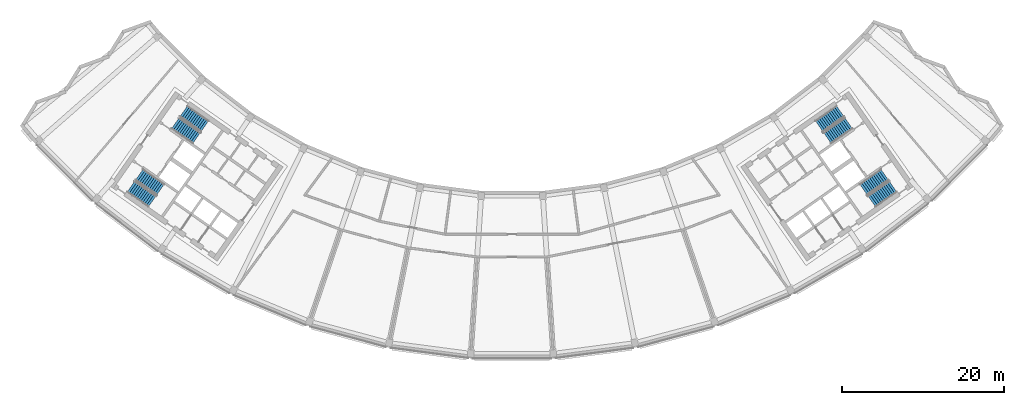
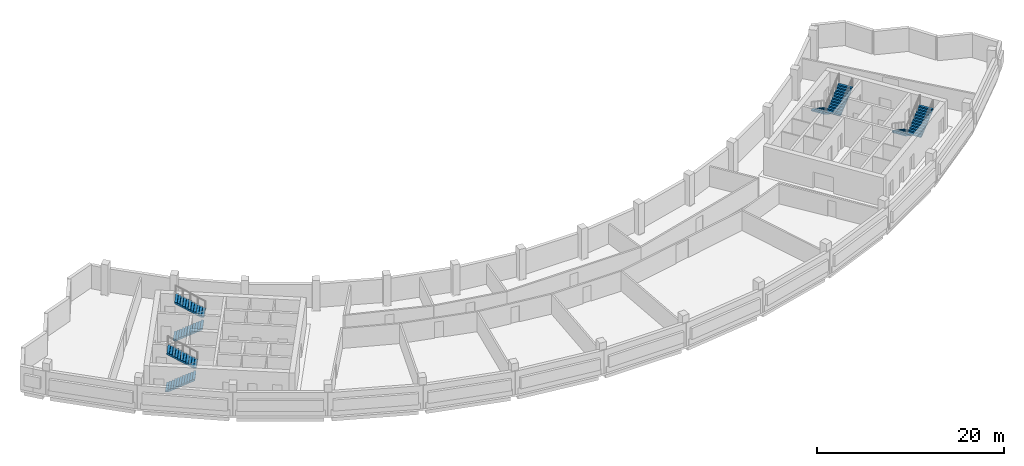
# One storey, part 8 of 12: 8 stair flights, 4 elements without a shape of their own.
"""IFC4 building model written with IfcOpenShell, lengths in metres."""

from ifc_helpers import new_model, si_unit, direction, frame, origin, place, context, subcontext, project, spatial, polyline, outline, extrude, material, type_object, element, aggregate, save


model = new_model("IFC4")

# Units and contexts
model_context = context("Model", 3, precision=1e-05, world=origin(), true_north=direction((0.0, 1.0)))
body_context = subcontext(model_context, "Body", "Model", "MODEL_VIEW")
ifc_project = project(units=[si_unit("LENGTHUNIT", "METRE"), si_unit("AREAUNIT", "SQUARE_METRE"), si_unit("VOLUMEUNIT", "CUBIC_METRE"), si_unit("PLANEANGLEUNIT", "RADIAN"), si_unit("MASSUNIT", "GRAM", prefix="KILO")], contexts=[model_context])

# Site, building, storey
site_placement = place(None, origin())
site = spatial("IfcSite", under=ifc_project, at=site_placement, CompositionType="ELEMENT")
building_placement = place(site_placement, origin())
building = spatial("IfcBuilding", under=site, at=building_placement, Name="Qamariyya Broadcast Tower", CompositionType="ELEMENT")
storey_placement = place(building_placement, frame((0.0, 0.0, 290.699951171875)))
storey = spatial("IfcBuildingStorey", under=building, at=storey_placement, Name="L70", CompositionType="ELEMENT", Elevation=290.699951171875)

# Stair, stair flights
ifc_material = material(Name="Concrete C50/60", Category="concrete")
stair_type = type_object("IfcStairType", Name="Exit stair 24 risers of 167 mm", PredefinedType="HALF_TURN_STAIR", material=ifc_material)
stair_1_placement = place(storey_placement, origin())
stair_1 = element("IfcStair", 1, at=stair_1_placement, inside=storey, type_object=stair_type, Name="L70 Stair W2", PredefinedType="HALF_TURN_STAIR")
stair_flight_type = type_object("IfcStairFlightType", Name="Exit stair flight 12 risers of 167 mm", PredefinedType="STRAIGHT", material=ifc_material)
stair_flight_1_placement = place(storey_placement, frame((-41.59130859375, -49.15966796875, 0.0), z_axis=(0.0, 0.0, 1.0), x_axis=(0.819152044289, -0.573576436351, 0.0)))
stair_flight_1 = element("IfcStairFlight", 2, at=stair_flight_1_placement, type_object=stair_flight_type, Name="ST-W2 flight 1", NumberOfRisers=12, NumberOfTreads=11, PredefinedType="STRAIGHT", RiserHeight=0.166666667, TreadLength=0.29, context=body_context, shape_type="SweptSolid", body=[
    extrude(outline(polyline([(0.0, 0.0), (0.0, 0.166748046875), (0.2900390625, 0.166748046875), (0.2900390625, 0.333251953125), (0.580078125, 0.333251953125), (0.580078125, 0.5), (0.8701171875, 0.5), (0.8701171875, 0.666748046875), (1.159912109375, 0.666748046875), (1.159912109375, 0.833251953125), (1.449951171875, 0.833251953125), (1.449951171875, 1.0), (1.739990234375, 1.0), (1.739990234375, 1.166748046875), (2.030029296875, 1.166748046875), (2.030029296875, 1.333251953125), (2.320068359375, 1.333251953125), (2.320068359375, 1.5), (2.610107421875, 1.5), (2.610107421875, 1.666748046875), (2.89990234375, 1.666748046875), (2.89990234375, 1.833251953125), (3.18994140625, 1.833251953125), (3.18994140625, 2.0), (3.18994140625, 1.660400390625), (0.30078125, 0.0), (0.0, 0.0)])), frame((0.0, 0.824951171875, 0.0), z_axis=(0.0, -1.0, 0.0), x_axis=(1.0, 0.0, 0.0)), (0.0, 0.0, 1.0), 1.64990234375),
])
stair_flight_2_placement = place(storey_placement, frame((-37.945556640625, -49.514892578125, 2.0), z_axis=(0.0, 0.0, 1.0), x_axis=(-0.819152044289, 0.573576436351, 0.0)))
stair_flight_2 = element("IfcStairFlight", 3, at=stair_flight_2_placement, type_object=stair_flight_type, Name="ST-W2 flight 2", NumberOfRisers=12, NumberOfTreads=11, PredefinedType="STRAIGHT", RiserHeight=0.166666667, TreadLength=0.29, context=body_context, shape_type="SweptSolid", body=[
    extrude(outline(polyline([(0.0, 0.0), (0.0, 0.166748046875), (0.2900390625, 0.166748046875), (0.2900390625, 0.333251953125), (0.580078125, 0.333251953125), (0.580078125, 0.5), (0.8701171875, 0.5), (0.8701171875, 0.666748046875), (1.159912109375, 0.666748046875), (1.159912109375, 0.833251953125), (1.449951171875, 0.833251953125), (1.449951171875, 1.0), (1.739990234375, 1.0), (1.739990234375, 1.166748046875), (2.030029296875, 1.166748046875), (2.030029296875, 1.333251953125), (2.320068359375, 1.333251953125), (2.320068359375, 1.5), (2.610107421875, 1.5), (2.610107421875, 1.666748046875), (2.89990234375, 1.666748046875), (2.89990234375, 1.833251953125), (3.18994140625, 1.833251953125), (3.18994140625, 2.0), (3.18994140625, 1.660400390625), (0.30078125, 0.0), (0.0, 0.0)])), frame((0.0, 0.824951171875, 0.0), z_axis=(0.0, -1.0, 0.0), x_axis=(1.0, 0.0, 0.0)), (0.0, 0.0, 1.0), 1.64990234375),
])
aggregate(stair_1, [stair_flight_1, stair_flight_2])

stair_2_placement = place(storey_placement, origin())
stair_2 = element("IfcStair", 4, at=stair_2_placement, inside=storey, type_object=stair_type, Name="L70 Stair W1", PredefinedType="HALF_TURN_STAIR")
stair_flight_3_placement = place(storey_placement, frame((-47.06884765625, -56.982666015625, 0.0), z_axis=(0.0, 0.0, 1.0), x_axis=(0.819152044289, -0.573576436351, 0.0)))
stair_flight_3 = element("IfcStairFlight", 5, at=stair_flight_3_placement, type_object=stair_flight_type, Name="ST-W1 flight 1", NumberOfRisers=12, NumberOfTreads=11, PredefinedType="STRAIGHT", RiserHeight=0.166666667, TreadLength=0.29, context=body_context, shape_type="SweptSolid", body=[
    extrude(outline(polyline([(0.0, 0.0), (0.0, 0.166748046875), (0.2900390625, 0.166748046875), (0.2900390625, 0.333251953125), (0.580078125, 0.333251953125), (0.580078125, 0.5), (0.8701171875, 0.5), (0.8701171875, 0.666748046875), (1.159912109375, 0.666748046875), (1.159912109375, 0.833251953125), (1.449951171875, 0.833251953125), (1.449951171875, 1.0), (1.739990234375, 1.0), (1.739990234375, 1.166748046875), (2.030029296875, 1.166748046875), (2.030029296875, 1.333251953125), (2.320068359375, 1.333251953125), (2.320068359375, 1.5), (2.610107421875, 1.5), (2.610107421875, 1.666748046875), (2.89990234375, 1.666748046875), (2.89990234375, 1.833251953125), (3.18994140625, 1.833251953125), (3.18994140625, 2.0), (3.18994140625, 1.660400390625), (0.30078125, 0.0), (0.0, 0.0)])), frame((0.0, 0.824951171875, 0.0), z_axis=(0.0, -1.0, 0.0), x_axis=(1.0, 0.0, 0.0)), (0.0, 0.0, 1.0), 1.64990234375),
])
stair_flight_4_placement = place(storey_placement, frame((-43.42333984375, -57.337890625, 2.0), z_axis=(0.0, 0.0, 1.0), x_axis=(-0.819152044289, 0.573576436351, 0.0)))
stair_flight_4 = element("IfcStairFlight", 6, at=stair_flight_4_placement, type_object=stair_flight_type, Name="ST-W1 flight 2", NumberOfRisers=12, NumberOfTreads=11, PredefinedType="STRAIGHT", RiserHeight=0.166666667, TreadLength=0.29, context=body_context, shape_type="SweptSolid", body=[
    extrude(outline(polyline([(0.0, 0.0), (0.0, 0.166748046875), (0.2900390625, 0.166748046875), (0.2900390625, 0.333251953125), (0.580078125, 0.333251953125), (0.580078125, 0.5), (0.8701171875, 0.5), (0.8701171875, 0.666748046875), (1.159912109375, 0.666748046875), (1.159912109375, 0.833251953125), (1.449951171875, 0.833251953125), (1.449951171875, 1.0), (1.739990234375, 1.0), (1.739990234375, 1.166748046875), (2.030029296875, 1.166748046875), (2.030029296875, 1.333251953125), (2.320068359375, 1.333251953125), (2.320068359375, 1.5), (2.610107421875, 1.5), (2.610107421875, 1.666748046875), (2.89990234375, 1.666748046875), (2.89990234375, 1.833251953125), (3.18994140625, 1.833251953125), (3.18994140625, 2.0), (3.18994140625, 1.660400390625), (0.30078125, 0.0), (0.0, 0.0)])), frame((0.0, 0.824951171875, 0.0), z_axis=(0.0, -1.0, 0.0), x_axis=(1.0, 0.0, 0.0)), (0.0, 0.0, 1.0), 1.64990234375),
])
aggregate(stair_2, [stair_flight_3, stair_flight_4])

stair_3_placement = place(storey_placement, origin())
stair_3 = element("IfcStair", 7, at=stair_3_placement, inside=storey, type_object=stair_type, Name="L70 Stair E2", PredefinedType="HALF_TURN_STAIR")
stair_flight_5_placement = place(storey_placement, frame((40.558837890625, -47.685302734375, 0.0), z_axis=(0.0, 0.0, 1.0), x_axis=(-0.819152044289, -0.573576436351, 0.0)))
stair_flight_5 = element("IfcStairFlight", 8, at=stair_flight_5_placement, type_object=stair_flight_type, Name="ST-E2 flight 1", NumberOfRisers=12, NumberOfTreads=11, PredefinedType="STRAIGHT", RiserHeight=0.166666667, TreadLength=0.29, context=body_context, shape_type="SweptSolid", body=[
    extrude(outline(polyline([(0.0, 0.0), (0.0, 0.166748046875), (0.2900390625, 0.166748046875), (0.2900390625, 0.333251953125), (0.580078125, 0.333251953125), (0.580078125, 0.5), (0.8701171875, 0.5), (0.8701171875, 0.666748046875), (1.159912109375, 0.666748046875), (1.159912109375, 0.833251953125), (1.449951171875, 0.833251953125), (1.449951171875, 1.0), (1.739990234375, 1.0), (1.739990234375, 1.166748046875), (2.030029296875, 1.166748046875), (2.030029296875, 1.333251953125), (2.320068359375, 1.333251953125), (2.320068359375, 1.5), (2.610107421875, 1.5), (2.610107421875, 1.666748046875), (2.89990234375, 1.666748046875), (2.89990234375, 1.833251953125), (3.18994140625, 1.833251953125), (3.18994140625, 2.0), (3.18994140625, 1.660400390625), (0.30078125, 0.0), (0.0, 0.0)])), frame((0.0, 0.824951171875, 0.0), z_axis=(0.0, -1.0, 0.0), x_axis=(1.0, 0.0, 0.0)), (0.0, 0.0, 1.0), 1.64990234375),
])
stair_flight_6_placement = place(storey_placement, frame((38.97802734375, -50.989501953125, 2.0), z_axis=(0.0, 0.0, 1.0), x_axis=(0.819152044289, 0.573576436351, 0.0)))
stair_flight_6 = element("IfcStairFlight", 9, at=stair_flight_6_placement, type_object=stair_flight_type, Name="ST-E2 flight 2", NumberOfRisers=12, NumberOfTreads=11, PredefinedType="STRAIGHT", RiserHeight=0.166666667, TreadLength=0.29, context=body_context, shape_type="SweptSolid", body=[
    extrude(outline(polyline([(0.0, 0.0), (0.0, 0.166748046875), (0.2900390625, 0.166748046875), (0.2900390625, 0.333251953125), (0.580078125, 0.333251953125), (0.580078125, 0.5), (0.8701171875, 0.5), (0.8701171875, 0.666748046875), (1.159912109375, 0.666748046875), (1.159912109375, 0.833251953125), (1.449951171875, 0.833251953125), (1.449951171875, 1.0), (1.739990234375, 1.0), (1.739990234375, 1.166748046875), (2.030029296875, 1.166748046875), (2.030029296875, 1.333251953125), (2.320068359375, 1.333251953125), (2.320068359375, 1.5), (2.610107421875, 1.5), (2.610107421875, 1.666748046875), (2.89990234375, 1.666748046875), (2.89990234375, 1.833251953125), (3.18994140625, 1.833251953125), (3.18994140625, 2.0), (3.18994140625, 1.660400390625), (0.30078125, 0.0), (0.0, 0.0)])), frame((0.0, 0.824951171875, 0.0), z_axis=(0.0, -1.0, 0.0), x_axis=(1.0, 0.0, 0.0)), (0.0, 0.0, 1.0), 1.64990234375),
])
aggregate(stair_3, [stair_flight_5, stair_flight_6])

stair_4_placement = place(storey_placement, origin())
stair_4 = element("IfcStair", 10, at=stair_4_placement, inside=storey, type_object=stair_type, Name="L70 Stair E1", PredefinedType="HALF_TURN_STAIR")
stair_flight_7_placement = place(storey_placement, frame((46.036376953125, -55.508056640625, 0.0), z_axis=(0.0, 0.0, 1.0), x_axis=(-0.819152044289, -0.573576436351, 0.0)))
stair_flight_7 = element("IfcStairFlight", 11, at=stair_flight_7_placement, type_object=stair_flight_type, Name="ST-E1 flight 1", NumberOfRisers=12, NumberOfTreads=11, PredefinedType="STRAIGHT", RiserHeight=0.166666667, TreadLength=0.29, context=body_context, shape_type="SweptSolid", body=[
    extrude(outline(polyline([(0.0, 0.0), (0.0, 0.166748046875), (0.2900390625, 0.166748046875), (0.2900390625, 0.333251953125), (0.580078125, 0.333251953125), (0.580078125, 0.5), (0.8701171875, 0.5), (0.8701171875, 0.666748046875), (1.159912109375, 0.666748046875), (1.159912109375, 0.833251953125), (1.449951171875, 0.833251953125), (1.449951171875, 1.0), (1.739990234375, 1.0), (1.739990234375, 1.166748046875), (2.030029296875, 1.166748046875), (2.030029296875, 1.333251953125), (2.320068359375, 1.333251953125), (2.320068359375, 1.5), (2.610107421875, 1.5), (2.610107421875, 1.666748046875), (2.89990234375, 1.666748046875), (2.89990234375, 1.833251953125), (3.18994140625, 1.833251953125), (3.18994140625, 2.0), (3.18994140625, 1.660400390625), (0.30078125, 0.0), (0.0, 0.0)])), frame((0.0, 0.824951171875, 0.0), z_axis=(0.0, -1.0, 0.0), x_axis=(1.0, 0.0, 0.0)), (0.0, 0.0, 1.0), 1.64990234375),
])
stair_flight_8_placement = place(storey_placement, frame((44.455810546875, -58.812255859375, 2.0), z_axis=(0.0, 0.0, 1.0), x_axis=(0.819152044289, 0.573576436351, 0.0)))
stair_flight_8 = element("IfcStairFlight", 12, at=stair_flight_8_placement, type_object=stair_flight_type, Name="ST-E1 flight 2", NumberOfRisers=12, NumberOfTreads=11, PredefinedType="STRAIGHT", RiserHeight=0.166666667, TreadLength=0.29, context=body_context, shape_type="SweptSolid", body=[
    extrude(outline(polyline([(0.0, 0.0), (0.0, 0.166748046875), (0.2900390625, 0.166748046875), (0.2900390625, 0.333251953125), (0.580078125, 0.333251953125), (0.580078125, 0.5), (0.8701171875, 0.5), (0.8701171875, 0.666748046875), (1.159912109375, 0.666748046875), (1.159912109375, 0.833251953125), (1.449951171875, 0.833251953125), (1.449951171875, 1.0), (1.739990234375, 1.0), (1.739990234375, 1.166748046875), (2.030029296875, 1.166748046875), (2.030029296875, 1.333251953125), (2.320068359375, 1.333251953125), (2.320068359375, 1.5), (2.610107421875, 1.5), (2.610107421875, 1.666748046875), (2.89990234375, 1.666748046875), (2.89990234375, 1.833251953125), (3.18994140625, 1.833251953125), (3.18994140625, 2.0), (3.18994140625, 1.660400390625), (0.30078125, 0.0), (0.0, 0.0)])), frame((0.0, 0.824951171875, 0.0), z_axis=(0.0, -1.0, 0.0), x_axis=(1.0, 0.0, 0.0)), (0.0, 0.0, 1.0), 1.64990234375),
])
aggregate(stair_4, [stair_flight_7, stair_flight_8])

save(model, "model.ifc")
